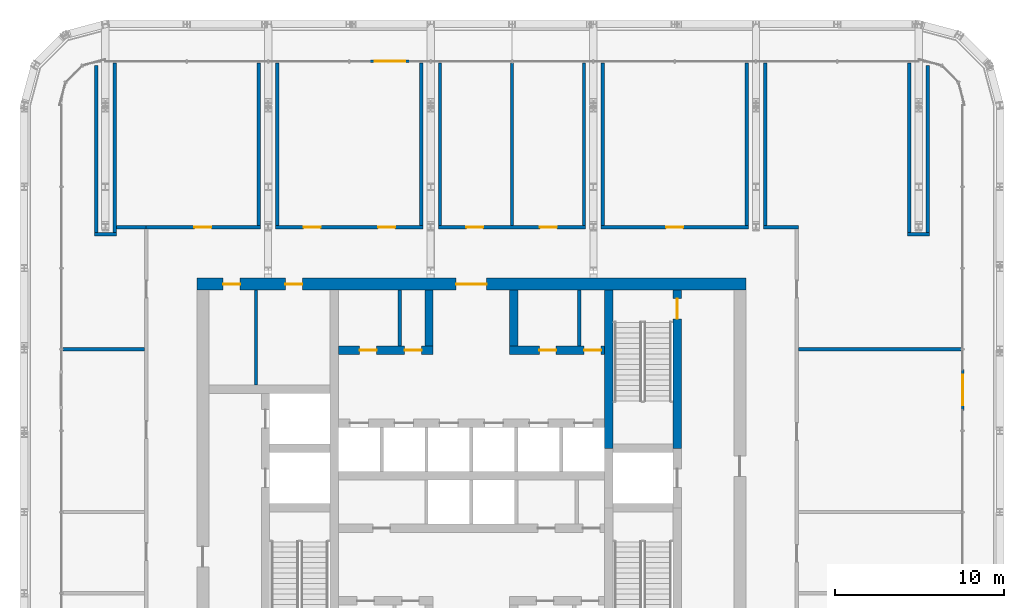
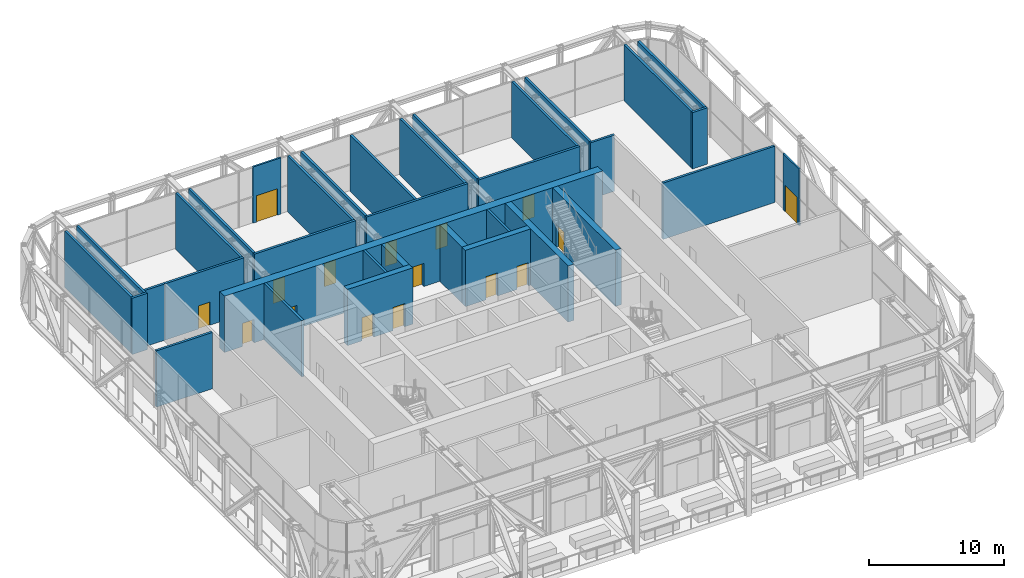
# One storey, part 16 of 22: 35 walls, 16 doors, 16 openings.
"""IFC4 building model written with IfcOpenShell, lengths in metres."""

import ifcopenshell
import ifcopenshell.guid

model = None  # the IFC model being written
_history = None  # IfcOwnerHistory: only IFC2X3 demands one
_inside = {}  # id of a spatial element -> (the spatial element, [elements in it])
_under = {}  # id of a project, library or spatial element -> (it, [spatial elements below it])
_declared = {}  # id of a project -> (the project, [libraries it declares])
_typed = {}  # id of a type object -> (the type object, [elements of that type])
_made_of = {}  # id of a material, layer set ... -> (it, [elements and type objects made of it])


def new_model(schema):
    """Start an empty IFC model of exactly this schema.

    Asked for "IFC4X3", IfcOpenShell would pick the latest addendum, in which some entities
    have other attributes; the version numbers below select the first issue.
    IFC2X3 requires an IfcOwnerHistory on every rooted entity: one is made here for all.
    """
    global model, _history
    if schema == "IFC4X3":
        model = ifcopenshell.file(schema_version=(4, 3, 0, 0))
    else:
        model = ifcopenshell.file(schema=schema)
    _inside.clear()
    _under.clear()
    _declared.clear()
    _typed.clear()
    _made_of.clear()
    _history = None
    if model.schema == "IFC2X3":
        org = make("IfcOrganization", Name="unknown")
        user = make(
            "IfcPersonAndOrganization",
            ThePerson=make("IfcPerson", FamilyName="unknown"),
            TheOrganization=org,
        )
        app = make(
            "IfcApplication",
            ApplicationDeveloper=org,
            Version="unknown",
            ApplicationFullName="unknown",
            ApplicationIdentifier="unknown",
        )
        _history = make(
            "IfcOwnerHistory",
            OwningUser=user,
            OwningApplication=app,
            ChangeAction="ADDED",
            CreationDate=0,
        )
    return model


def make(cls, **values):
    """One entity of the class cls with the attributes given. An attribute that is None is left unset."""
    return model.create_entity(
        cls, **{name: value for name, value in values.items() if value is not None}
    )


def rooted(cls, **values):
    """An entity with a GlobalId (a new one), such as an element, a storey or a relation."""
    return make(cls, GlobalId=ifcopenshell.guid.new(), OwnerHistory=_history, **values)


def si_unit(unit_type, name, prefix=None):
    """IfcSIUnit, for example si_unit("LENGTHUNIT", "METRE", prefix="MILLI")."""
    return make("IfcSIUnit", UnitType=unit_type, Prefix=prefix, Name=name)


def assignment(units):
    """IfcUnitAssignment: the units of a project."""
    return None if units is None else make("IfcUnitAssignment", Units=units)


def point(xyz):
    """IfcCartesianPoint."""
    return None if xyz is None else make("IfcCartesianPoint", Coordinates=xyz)


def direction(xyz):
    """IfcDirection."""
    return None if xyz is None else make("IfcDirection", DirectionRatios=xyz)


def frame(location, z_axis=None, x_axis=None):
    """IfcAxis2Placement3D, a coordinate frame: its origin and axes. An axis left out is left unset."""
    return make(
        "IfcAxis2Placement3D",
        Location=point(location),
        Axis=direction(z_axis),
        RefDirection=direction(x_axis),
    )


def frame_2d(location, x_axis=None):
    """IfcAxis2Placement2D, a coordinate frame in the plane: its origin and x axis."""
    return make(
        "IfcAxis2Placement2D", Location=point(location), RefDirection=direction(x_axis)
    )


def origin():
    """The frame at (0, 0, 0) with its axes left unset."""
    return frame((0.0, 0.0, 0.0))


def place(relative_to, where):
    """IfcLocalPlacement: puts the frame where relative to a parent placement (None: the world)."""
    return make(
        "IfcLocalPlacement", PlacementRelTo=relative_to, RelativePlacement=where
    )


def context(
    kind, dimensions, precision=None, world=None, true_north=None, identifier=None
):
    """IfcGeometricRepresentationContext, for example the 3D "Model" context."""
    return make(
        "IfcGeometricRepresentationContext",
        ContextIdentifier=identifier,
        ContextType=kind,
        CoordinateSpaceDimension=dimensions,
        Precision=precision,
        WorldCoordinateSystem=world,
        TrueNorth=true_north,
    )


def subcontext(parent, identifier, kind, view, scale=None):
    """IfcGeometricRepresentationSubContext, for example "Body" below "Model"."""
    return make(
        "IfcGeometricRepresentationSubContext",
        ContextIdentifier=identifier,
        ContextType=kind,
        ParentContext=parent,
        TargetScale=scale,
        TargetView=view,
    )


def project(units=None, contexts=None):
    """IfcProject with its units and contexts."""
    return rooted(
        "IfcProject",
        Name="project",
        RepresentationContexts=contexts,
        UnitsInContext=assignment(units),
    )


def spatial(cls, under=None, at=None, **own):
    """A site, building, storey or space (cls), placed at a placement, below another one or the project."""
    s = rooted(cls, ObjectPlacement=at, **own)
    if under is not None:
        _under.setdefault(under.id(), (under, []))[1].append(s)
    return s


def profile(cls, at=None, kind="AREA", **sizes):
    """A parametric profile (cls). Its sizes go by their IFC names, for example OverallWidth=200.0."""
    return make(cls, ProfileType=kind, Position=at, **sizes)


def rectangle(**sizes):
    """IfcRectangleProfileDef."""
    return profile("IfcRectangleProfileDef", **sizes)


def extrude(swept, where, along, depth):
    """IfcExtrudedAreaSolid: the profile swept, set in the frame where, extruded along a direction by depth."""
    return make(
        "IfcExtrudedAreaSolid",
        SweptArea=swept,
        Position=where,
        ExtrudedDirection=direction(along),
        Depth=depth,
    )


def shape(context_of_items, identifier, shape_type, items):
    """IfcShapeRepresentation: the items that make up one representation, for example the "Body"."""
    return make(
        "IfcShapeRepresentation",
        ContextOfItems=context_of_items,
        RepresentationIdentifier=identifier,
        RepresentationType=shape_type,
        Items=items,
    )


def material(Name=None, Category=None):
    """IfcMaterial."""
    return make("IfcMaterial", Name=Name, Category=Category)


def layer(
    of_material, thickness, ventilated=None, Name=None, Category=None, Priority=None
):
    """IfcMaterialLayer: one layer of a wall or slab, of a material (None: an air gap)."""
    return make(
        "IfcMaterialLayer",
        Material=of_material,
        LayerThickness=thickness,
        IsVentilated=ventilated,
        Name=Name,
        Category=Category,
        Priority=Priority,
    )


def layer_set(layers, Name=None):
    """IfcMaterialLayerSet."""
    return make("IfcMaterialLayerSet", MaterialLayers=layers, LayerSetName=Name)


def made_of(thing, what):
    """Note that an element or type object is made of a material, layer set ...; save() writes the relation."""
    if what is not None:
        _made_of.setdefault(what.id(), (what, []))[1].append(thing)
    return thing


def type_object(cls, material=None, **own):
    """A type object (cls), such as IfcWallType, which elements share."""
    return made_of(rooted(cls, **own), material)


def element(
    cls,
    number,
    at=None,
    inside=None,
    cuts=None,
    type_object=None,
    material=None,
    context=None,
    identifier="Body",
    shape_type=None,
    held_by="IfcProductDefinitionShape",
    body=None,
    shapes=None,
    **own,
):
    """One element of the class cls, such as IfcWall. Its Tag is "e" and its number.

    at: its placement. inside: the storey or other place that contains it. cuts: it is an
    opening in that element (IfcRelVoidsElement). A single representation is given by context,
    identifier, shape_type and body (its items); several are given by shapes. held_by: the class
    of the entity that holds the representations. save() writes the other relations.
    """
    e = rooted(cls, Tag="e%d" % number, ObjectPlacement=at, **own)
    if body is not None:
        shapes = [shape(context, identifier, shape_type, body)]
    if shapes is not None:
        e.Representation = make(held_by, Representations=shapes)
    if inside is not None:
        _inside.setdefault(inside.id(), (inside, []))[1].append(e)
    if cuts is not None:
        rooted(
            "IfcRelVoidsElement", RelatingBuildingElement=cuts, RelatedOpeningElement=e
        )
    if type_object is not None:
        _typed.setdefault(type_object.id(), (type_object, []))[1].append(e)
    return made_of(e, material)


def fill(opening, filler):
    """IfcRelFillsElement: the door or window that sits in an opening."""
    return rooted(
        "IfcRelFillsElement",
        RelatingOpeningElement=opening,
        RelatedBuildingElement=filler,
    )


def aggregate(whole, parts):
    """IfcRelAggregates: a whole, such as a stair, and the parts it consists of."""
    return rooted("IfcRelAggregates", RelatingObject=whole, RelatedObjects=parts)


def save(model, path):
    """Write the relations noted so far, then the file.

    IfcRelAggregates (storeys below a building ...), IfcRelContainedInSpatialStructure (elements
    in a storey), IfcRelDefinesByType, IfcRelAssociatesMaterial and IfcRelDeclares: one each for
    every whole, place, type object, material and project.
    """
    for whole, parts in _under.values():
        aggregate(whole, parts)
    for where, things in _inside.values():
        rooted(
            "IfcRelContainedInSpatialStructure",
            RelatedElements=things,
            RelatingStructure=where,
        )
    for kind, things in _typed.values():
        rooted("IfcRelDefinesByType", RelatedObjects=things, RelatingType=kind)
    for what, things in _made_of.values():
        rooted("IfcRelAssociatesMaterial", RelatedObjects=things, RelatingMaterial=what)
    for by, libraries in _declared.values():
        rooted("IfcRelDeclares", RelatingContext=by, RelatedDefinitions=libraries)
    model.write(path)


model = new_model("IFC4")

# Units and contexts
model_context = context("Model", 3, precision=1e-05, world=origin(), true_north=direction((0.0, 1.0)))
body_context = subcontext(model_context, "Body", "Model", "MODEL_VIEW")
ifc_project = project(units=[si_unit("LENGTHUNIT", "METRE"), si_unit("AREAUNIT", "SQUARE_METRE"), si_unit("VOLUMEUNIT", "CUBIC_METRE"), si_unit("PLANEANGLEUNIT", "RADIAN"), si_unit("MASSUNIT", "GRAM", prefix="KILO")], contexts=[model_context])

# Site, building, storey
site_placement = place(None, origin())
site = spatial("IfcSite", under=ifc_project, at=site_placement, CompositionType="ELEMENT")
building_placement = place(site_placement, origin())
building = spatial("IfcBuilding", under=site, at=building_placement, Name="Madar Terraces", CompositionType="ELEMENT")
storey_placement = place(building_placement, frame((0.0, 0.0, 203.39990234375)))
storey = spatial("IfcBuildingStorey", under=building, at=storey_placement, Name="L53", CompositionType="ELEMENT", Elevation=203.39990234375)

# Wall
ifc_material_1 = material(Name="Concrete C60/75", Category="concrete")
ifc_layer_1 = layer(ifc_material_1, 0.5)
ifc_layer_set_1 = layer_set([ifc_layer_1], Name="Concrete C60/75 (CIW4 RC wall 500)")
wall_type_1 = type_object("IfcWallType", Name="CIW4 RC wall 500", PredefinedType="SHEAR", material=ifc_layer_set_1)
wall_1_placement = place(storey_placement, frame((39.300048828125, 27.75, 0.0), z_axis=(0.0, 0.0, 1.0), x_axis=(0.0, 1.0, 0.0)))
element("IfcWall", 1, at=wall_1_placement, inside=storey, type_object=wall_type_1, Name="CORE SHAFT WALL", PredefinedType="SHEAR", context=body_context, shape_type="SweptSolid", body=[
    extrude(rectangle(XDim=9.35009765625, YDim=0.5, at=frame_2d((4.675048828125, 0.0))), origin(), (0.0, 0.0, 1.0), 5.10009765625),
])

# Wall, opening, door
wall_2_placement = place(storey_placement, frame((43.35009765625, 27.75, 0.0), z_axis=(0.0, 0.0, 1.0), x_axis=(0.0, 1.0, 0.0)))
wall_2 = element("IfcWall", 2, at=wall_2_placement, inside=storey, type_object=wall_type_1, Name="CORE SHAFT WALL", PredefinedType="SHEAR", context=body_context, shape_type="SweptSolid", body=[
    extrude(rectangle(XDim=9.35009765625, YDim=0.5, at=frame_2d((4.675048828125, 0.0))), origin(), (0.0, 0.0, 1.0), 5.10009765625),
])
opening_1_placement = place(wall_2_placement, frame((7.64990234375, 0.0, 0.0)))
opening_1 = element("IfcOpeningElement", 3, at=opening_1_placement, cuts=wall_2, Name="Opening SD1", PredefinedType="OPENING", context=body_context, shape_type="SweptSolid", body=[
    extrude(rectangle(XDim=1.199951171875, YDim=2.10009765625, at=frame_2d((0.60009765625, 1.050048828125))), frame((0.0, 0.260009765625, 0.0), z_axis=(0.0, -1.0, 0.0), x_axis=(1.0, 0.0, 0.0)), (0.0, 0.0, 1.0), 0.52001953125),
])
ifc_material_2 = material(Name="Steel door leaf", Category="steel")
door_type_1 = type_object("IfcDoorType", Name="Stair door 1200 x 2100", OperationType="NOTDEFINED", PredefinedType="DOOR", material=ifc_material_2)
door_1_placement = place(opening_1_placement, origin())
door_1 = element("IfcDoor", 4, at=door_1_placement, inside=storey, type_object=door_type_1, Name="STAIR DOOR", OperationType="SINGLE_SWING_LEFT", OverallHeight=2.10009765625, OverallWidth=1.199951171875, PredefinedType="DOOR", context=body_context, shape_type="SweptSolid", body=[
    extrude(rectangle(XDim=1.199951171875, YDim=2.10009765625, at=frame_2d((0.60009765625, 1.050048828125))), frame((0.0, 0.02490234375, 0.0), z_axis=(0.0, -1.0, 0.0), x_axis=(1.0, 0.0, 0.0)), (0.0, 0.0, 1.0), 0.050048828125),
])
fill(opening_1, door_1)

# Wall, openings, doors
wall_3_placement = place(storey_placement, frame((23.35009765625, 33.550048828125, 0.0), z_axis=(0.0, 0.0, 1.0), x_axis=(1.0, 0.0, 0.0)))
wall_3 = element("IfcWall", 5, at=wall_3_placement, inside=storey, type_object=wall_type_1, Name="CORE SHAFT WALL", PredefinedType="SHEAR", context=body_context, shape_type="SweptSolid", body=[
    extrude(rectangle(XDim=5.599853515625, YDim=0.5, at=frame_2d((2.7998046875, 0.0))), origin(), (0.0, 0.0, 1.0), 5.10009765625),
])
opening_2_placement = place(wall_3_placement, frame((1.260498046875, 0.0, 0.0)))
opening_2 = element("IfcOpeningElement", 6, at=opening_2_placement, cuts=wall_3, Name="Opening KD2", PredefinedType="OPENING", context=body_context, shape_type="SweptSolid", body=[
    extrude(rectangle(XDim=1.0, YDim=2.10009765625, at=frame_2d((0.5, 1.050048828125))), frame((0.0, 0.260009765625, 0.0), z_axis=(0.0, -1.0, 0.0), x_axis=(1.0, 0.0, 0.0)), (0.0, 0.0, 1.0), 0.52001953125),
])
opening_3_placement = place(wall_3_placement, frame((3.910400390625, 0.0, 0.0)))
opening_3 = element("IfcOpeningElement", 7, at=opening_3_placement, cuts=wall_3, Name="Opening KD2", PredefinedType="OPENING", context=body_context, shape_type="SweptSolid", body=[
    extrude(rectangle(XDim=1.0, YDim=2.10009765625, at=frame_2d((0.5, 1.050048828125))), frame((0.0, 0.260009765625, 0.0), z_axis=(0.0, -1.0, 0.0), x_axis=(1.0, 0.0, 0.0)), (0.0, 0.0, 1.0), 0.52001953125),
])
ifc_material_3 = material(Name="Steel door leaf", Category="steel")
door_type_2 = type_object("IfcDoorType", Name="Service room door 1000 x 2100", OperationType="NOTDEFINED", PredefinedType="DOOR", material=ifc_material_3)
door_2_placement = place(opening_2_placement, frame((1.0, 0.0, 0.0), z_axis=(0.0, 0.0, 1.0), x_axis=(-1.0, 0.0, 0.0)))
door_2 = element("IfcDoor", 8, at=door_2_placement, inside=storey, type_object=door_type_2, Name="SERVICE ROOM DOOR", OperationType="SINGLE_SWING_LEFT", OverallHeight=2.10009765625, OverallWidth=1.0, PredefinedType="DOOR", context=body_context, shape_type="SweptSolid", body=[
    extrude(rectangle(XDim=1.0, YDim=2.10009765625, at=frame_2d((0.5, 1.050048828125))), frame((0.0, 0.02490234375, 0.0), z_axis=(0.0, -1.0, 0.0), x_axis=(1.0, 0.0, 0.0)), (0.0, 0.0, 1.0), 0.050048828125),
])
fill(opening_2, door_2)
door_3_placement = place(opening_3_placement, frame((1.0, 0.0, 0.0), z_axis=(0.0, 0.0, 1.0), x_axis=(-1.0, 0.0, 0.0)))
door_3 = element("IfcDoor", 9, at=door_3_placement, inside=storey, type_object=door_type_2, Name="SERVICE ROOM DOOR", OperationType="SINGLE_SWING_RIGHT", OverallHeight=2.10009765625, OverallWidth=1.0, PredefinedType="DOOR", context=body_context, shape_type="SweptSolid", body=[
    extrude(rectangle(XDim=1.0, YDim=2.10009765625, at=frame_2d((0.5, 1.050048828125))), frame((0.0, 0.02490234375, 0.0), z_axis=(0.0, -1.0, 0.0), x_axis=(1.0, 0.0, 0.0)), (0.0, 0.0, 1.0), 0.050048828125),
])
fill(opening_3, door_3)

wall_4_placement = place(storey_placement, frame((33.449951171875, 33.550048828125, 0.0), z_axis=(0.0, 0.0, 1.0), x_axis=(1.0, 0.0, 0.0)))
wall_4 = element("IfcWall", 10, at=wall_4_placement, inside=storey, type_object=wall_type_1, Name="CORE SHAFT WALL", PredefinedType="SHEAR", context=body_context, shape_type="SweptSolid", body=[
    extrude(rectangle(XDim=5.60009765625, YDim=0.5, at=frame_2d((2.800048828125, 0.0))), origin(), (0.0, 0.0, 1.0), 5.10009765625),
])
opening_4_placement = place(wall_4_placement, frame((1.760498046875, 0.0, 0.0)))
opening_4 = element("IfcOpeningElement", 11, at=opening_4_placement, cuts=wall_4, Name="Opening KD2", PredefinedType="OPENING", context=body_context, shape_type="SweptSolid", body=[
    extrude(rectangle(XDim=1.0, YDim=2.10009765625, at=frame_2d((0.5, 1.050048828125))), frame((0.0, 0.260009765625, 0.0), z_axis=(0.0, -1.0, 0.0), x_axis=(1.0, 0.0, 0.0)), (0.0, 0.0, 1.0), 0.52001953125),
])
opening_5_placement = place(wall_4_placement, frame((4.410400390625, 0.0, 0.0)))
opening_5 = element("IfcOpeningElement", 12, at=opening_5_placement, cuts=wall_4, Name="Opening KD2", PredefinedType="OPENING", context=body_context, shape_type="SweptSolid", body=[
    extrude(rectangle(XDim=1.0, YDim=2.10009765625, at=frame_2d((0.5, 1.050048828125))), frame((0.0, 0.260009765625, 0.0), z_axis=(0.0, -1.0, 0.0), x_axis=(1.0, 0.0, 0.0)), (0.0, 0.0, 1.0), 0.52001953125),
])
door_4_placement = place(opening_4_placement, frame((1.0, 0.0, 0.0), z_axis=(0.0, 0.0, 1.0), x_axis=(-1.0, 0.0, 0.0)))
door_4 = element("IfcDoor", 13, at=door_4_placement, inside=storey, type_object=door_type_2, Name="SERVICE ROOM DOOR", OperationType="SINGLE_SWING_LEFT", OverallHeight=2.10009765625, OverallWidth=1.0, PredefinedType="DOOR", context=body_context, shape_type="SweptSolid", body=[
    extrude(rectangle(XDim=1.0, YDim=2.10009765625, at=frame_2d((0.5, 1.050048828125))), frame((0.0, 0.02490234375, 0.0), z_axis=(0.0, -1.0, 0.0), x_axis=(1.0, 0.0, 0.0)), (0.0, 0.0, 1.0), 0.050048828125),
])
fill(opening_4, door_4)
door_5_placement = place(opening_5_placement, frame((1.0, 0.0, 0.0), z_axis=(0.0, 0.0, 1.0), x_axis=(-1.0, 0.0, 0.0)))
door_5 = element("IfcDoor", 14, at=door_5_placement, inside=storey, type_object=door_type_2, Name="SERVICE ROOM DOOR", OperationType="SINGLE_SWING_RIGHT", OverallHeight=2.10009765625, OverallWidth=1.0, PredefinedType="DOOR", context=body_context, shape_type="SweptSolid", body=[
    extrude(rectangle(XDim=1.0, YDim=2.10009765625, at=frame_2d((0.5, 1.050048828125))), frame((0.0, 0.02490234375, 0.0), z_axis=(0.0, -1.0, 0.0), x_axis=(1.0, 0.0, 0.0)), (0.0, 0.0, 1.0), 0.050048828125),
])
fill(opening_5, door_5)

# Walls
for number, where, z_axis, x_axis, name in (
    (15, (28.699951171875, 33.800048828125, 0.0), (0.0, 0.0, 1.0), (0.0, 1.0, 0.0), "CORE SHAFT WALL"),
    (16, (33.699951171875, 33.800048828125, 0.0), (0.0, 0.0, 1.0), (0.0, 1.0, 0.0), "CORE SHAFT WALL"),
):
    element("IfcWall", number, at=place(storey_placement, frame(where, z_axis=z_axis, x_axis=x_axis)), inside=storey, type_object=wall_type_1, Name=name, PredefinedType="SHEAR", context=body_context, shape_type="SweptSolid", body=[
        extrude(rectangle(XDim=3.300048828125, YDim=0.5, at=frame_2d((1.64990234375, 0.0))), origin(), (0.0, 0.0, 1.0), 5.10009765625),
    ])

# Wall, openings, doors
ifc_material_4 = material(Name="Concrete C60/75", Category="concrete")
ifc_layer_2 = layer(ifc_material_4, 0.699951171875)
ifc_layer_set_2 = layer_set([ifc_layer_2], Name="Concrete C60/75 (CRW4 RC wall 700)")
wall_type_2 = type_object("IfcWallType", Name="CRW4 RC wall 700", PredefinedType="SHEAR", material=ifc_layer_set_2)
wall_5_placement = place(storey_placement, frame((15.0, 37.449951171875, 0.0), z_axis=(0.0, 0.0, 1.0), x_axis=(1.0, 0.0, 0.0)))
wall_5 = element("IfcWall", 17, at=wall_5_placement, inside=storey, type_object=wall_type_2, Name="CORE OUTER WALL", PredefinedType="SHEAR", context=body_context, shape_type="SweptSolid", body=[
    extrude(rectangle(XDim=32.39990234375, YDim=0.699951171875, at=frame_2d((16.199951171875, 0.0))), origin(), (0.0, 0.0, 1.0), 5.10009765625),
])
opening_6_placement = place(wall_5_placement, frame((15.300048828125, 0.0, 0.0)))
opening_6 = element("IfcOpeningElement", 18, at=opening_6_placement, cuts=wall_5, Name="Opening KD1", PredefinedType="OPENING", context=body_context, shape_type="SweptSolid", body=[
    extrude(rectangle(XDim=1.800048828125, YDim=2.10009765625, at=frame_2d((0.89990234375, 1.050048828125))), frame((0.0, 0.35986328125, 0.0), z_axis=(0.0, -1.0, 0.0), x_axis=(1.0, 0.0, 0.0)), (0.0, 0.0, 1.0), 0.719970703125),
])
opening_7_placement = place(wall_5_placement, frame((1.544189453125, 0.0, 0.0)))
opening_7 = element("IfcOpeningElement", 19, at=opening_7_placement, cuts=wall_5, Name="Opening KD2", PredefinedType="OPENING", context=body_context, shape_type="SweptSolid", body=[
    extrude(rectangle(XDim=1.0, YDim=2.10009765625, at=frame_2d((0.5, 1.050048828125))), frame((0.0, 0.35986328125, 0.0), z_axis=(0.0, -1.0, 0.0), x_axis=(1.0, 0.0, 0.0)), (0.0, 0.0, 1.0), 0.719970703125),
])
opening_8_placement = place(wall_5_placement, frame((5.21923828125, 0.0, 0.0)))
opening_8 = element("IfcOpeningElement", 20, at=opening_8_placement, cuts=wall_5, Name="Opening KD2", PredefinedType="OPENING", context=body_context, shape_type="SweptSolid", body=[
    extrude(rectangle(XDim=1.0, YDim=2.10009765625, at=frame_2d((0.5, 1.050048828125))), frame((0.0, 0.35986328125, 0.0), z_axis=(0.0, -1.0, 0.0), x_axis=(1.0, 0.0, 0.0)), (0.0, 0.0, 1.0), 0.719970703125),
])
ifc_material_5 = material(Name="Steel door leaf", Category="steel")
door_type_3 = type_object("IfcDoorType", Name="Lobby door pair 1800 x 2100", OperationType="DOUBLE_DOOR_SINGLE_SWING", PredefinedType="DOOR", material=ifc_material_5)
door_6_placement = place(opening_6_placement, origin())
door_6 = element("IfcDoor", 21, at=door_6_placement, inside=storey, type_object=door_type_3, Name="LIFT LOBBY DOOR", OperationType="DOUBLE_DOOR_SINGLE_SWING", OverallHeight=2.10009765625, OverallWidth=1.800048828125, PredefinedType="DOOR", context=body_context, shape_type="SweptSolid", body=[
    extrude(rectangle(XDim=1.800048828125, YDim=2.10009765625, at=frame_2d((0.89990234375, 1.050048828125))), frame((0.0, 0.02490234375, 0.0), z_axis=(0.0, -1.0, 0.0), x_axis=(1.0, 0.0, 0.0)), (0.0, 0.0, 1.0), 0.050048828125),
])
fill(opening_6, door_6)
door_7_placement = place(opening_7_placement, origin())
door_7 = element("IfcDoor", 22, at=door_7_placement, inside=storey, type_object=door_type_2, Name="SERVICE ROOM DOOR", OperationType="SINGLE_SWING_RIGHT", OverallHeight=2.10009765625, OverallWidth=1.0, PredefinedType="DOOR", context=body_context, shape_type="SweptSolid", body=[
    extrude(rectangle(XDim=1.0, YDim=2.10009765625, at=frame_2d((0.5, 1.050048828125))), frame((0.0, 0.02490234375, 0.0), z_axis=(0.0, -1.0, 0.0), x_axis=(1.0, 0.0, 0.0)), (0.0, 0.0, 1.0), 0.050048828125),
])
fill(opening_7, door_7)
door_8_placement = place(opening_8_placement, origin())
door_8 = element("IfcDoor", 23, at=door_8_placement, inside=storey, type_object=door_type_2, Name="SERVICE ROOM DOOR", OperationType="SINGLE_SWING_LEFT", OverallHeight=2.10009765625, OverallWidth=1.0, PredefinedType="DOOR", context=body_context, shape_type="SweptSolid", body=[
    extrude(rectangle(XDim=1.0, YDim=2.10009765625, at=frame_2d((0.5, 1.050048828125))), frame((0.0, 0.02490234375, 0.0), z_axis=(0.0, -1.0, 0.0), x_axis=(1.0, 0.0, 0.0)), (0.0, 0.0, 1.0), 0.050048828125),
])
fill(opening_8, door_8)

# Walls
ifc_material_6 = material(Name="Masonry blockwork", Category="masonry")
ifc_layer_3 = layer(ifc_material_6, 0.199951171875)
ifc_layer_set_3 = layer_set([ifc_layer_3], Name="Core partition 200 blockwork")
wall_type_3 = type_object("IfcWallType", Name="Core partition 200 blockwork", PredefinedType="PARTITIONING", material=ifc_layer_set_3)
wall_6_placement = place(storey_placement, frame((18.488525390625, 31.5, 0.0), z_axis=(0.0, 0.0, 1.0), x_axis=(0.0, 1.0, 0.0)))
element("IfcWall", 24, at=wall_6_placement, inside=storey, type_object=wall_type_3, Name="SERVICE ROOM PARTITION", PredefinedType="PARTITIONING", context=body_context, shape_type="SweptSolid", body=[
    extrude(rectangle(XDim=5.60009765625, YDim=0.199951171875, at=frame_2d((2.800048828125, 0.0))), origin(), (0.0, 0.0, 1.0), 5.10009765625),
])
for number, where, z_axis, x_axis, name in (
    (25, (26.970947265625, 33.800048828125, 0.0), (0.0, 0.0, 1.0), (0.0, 1.0, 0.0), "SERVICE ROOM PARTITION"),
    (26, (37.571044921875, 33.800048828125, 0.0), (0.0, 0.0, 1.0), (0.0, 1.0, 0.0), "SERVICE ROOM PARTITION"),
):
    element("IfcWall", number, at=place(storey_placement, frame(where, z_axis=z_axis, x_axis=x_axis)), inside=storey, type_object=wall_type_3, Name=name, PredefinedType="PARTITIONING", context=body_context, shape_type="SweptSolid", body=[
        extrude(rectangle(XDim=3.300048828125, YDim=0.199951171875, at=frame_2d((1.64990234375, 0.0))), origin(), (0.0, 0.0, 1.0), 5.10009765625),
    ])

# Wall, opening, door
ifc_material_7 = material(Name="Aluminium composite panel, black, over insulated backing", Category="aluminium")
ifc_layer_4 = layer(ifc_material_7, 0.14990234375)
ifc_layer_set_4 = layer_set([ifc_layer_4], Name="Facade bay panel 150")
wall_type_4 = type_object("IfcWallType", Name="Facade bay panel 150", PredefinedType="SOLIDWALL", material=ifc_layer_set_4)
wall_7_placement = place(storey_placement, frame((60.199951171875, 30.0, 0.0), z_axis=(0.0, 0.0, 1.0), x_axis=(0.0, 1.0, 0.0)))
wall_7 = element("IfcWall", 27, at=wall_7_placement, inside=storey, type_object=wall_type_4, Name="Facade bay panel", PredefinedType="SOLIDWALL", context=body_context, shape_type="SweptSolid", body=[
    extrude(rectangle(XDim=2.39990234375, YDim=0.14990234375, at=frame_2d((1.199951171875, 0.0))), origin(), (0.0, 0.0, 1.0), 5.10009765625),
])
opening_9_placement = place(wall_7_placement, frame((0.300048828125, 0.0, 0.0)))
opening_9 = element("IfcOpeningElement", 28, at=opening_9_placement, cuts=wall_7, Name="Opening ED1", PredefinedType="OPENING", context=body_context, shape_type="SweptSolid", body=[
    extrude(rectangle(XDim=1.800048828125, YDim=2.39990234375, at=frame_2d((0.89990234375, 1.199951171875))), frame((0.0, 0.0849609375, 0.0), z_axis=(0.0, -1.0, 0.0), x_axis=(1.0, 0.0, 0.0)), (0.0, 0.0, 1.0), 0.169921875),
])
ifc_material_8 = material(Name="Glass, clear, with black aluminium frame", Category="aluminium")
door_type_4 = type_object("IfcDoorType", Name="Balcony and terrace sliding door 1800 x 2400", OperationType="SLIDING_TO_LEFT", PredefinedType="DOOR", material=ifc_material_8)
door_9_placement = place(opening_9_placement, origin())
door_9 = element("IfcDoor", 29, at=door_9_placement, inside=storey, type_object=door_type_4, Name="Balcony door", OperationType="SLIDING_TO_LEFT", OverallHeight=2.39990234375, OverallWidth=1.800048828125, PredefinedType="DOOR", context=body_context, shape_type="SweptSolid", body=[
    extrude(rectangle(XDim=1.800048828125, YDim=2.39990234375, at=frame_2d((0.89990234375, 1.199951171875))), frame((0.0, 0.02490234375, 0.0), z_axis=(0.0, -1.0, 0.0), x_axis=(1.0, 0.0, 0.0)), (0.0, 0.0, 1.0), 0.050048828125),
])
fill(opening_9, door_9)

wall_8_placement = place(storey_placement, frame((27.60009765625, 50.60009765625, 0.0), z_axis=(0.0, 0.0, 1.0), x_axis=(-1.0, 0.0, 0.0)))
wall_8 = element("IfcWall", 30, at=wall_8_placement, inside=storey, type_object=wall_type_4, Name="Facade bay panel", PredefinedType="SOLIDWALL", context=body_context, shape_type="SweptSolid", body=[
    extrude(rectangle(XDim=2.400146484375, YDim=0.14990234375, at=frame_2d((1.2001953125, 0.0))), origin(), (0.0, 0.0, 1.0), 5.10009765625),
])
opening_10_placement = place(wall_8_placement, frame((0.300048828125, 0.0, 0.0)))
opening_10 = element("IfcOpeningElement", 31, at=opening_10_placement, cuts=wall_8, Name="Opening ED1", PredefinedType="OPENING", context=body_context, shape_type="SweptSolid", body=[
    extrude(rectangle(XDim=1.800048828125, YDim=2.39990234375, at=frame_2d((0.89990234375, 1.199951171875))), frame((0.0, 0.0849609375, 0.0), z_axis=(0.0, -1.0, 0.0), x_axis=(1.0, 0.0, 0.0)), (0.0, 0.0, 1.0), 0.169921875),
])
door_10_placement = place(opening_10_placement, origin())
door_10 = element("IfcDoor", 32, at=door_10_placement, inside=storey, type_object=door_type_4, Name="Balcony door", OperationType="SLIDING_TO_RIGHT", OverallHeight=2.39990234375, OverallWidth=1.800048828125, PredefinedType="DOOR", context=body_context, shape_type="SweptSolid", body=[
    extrude(rectangle(XDim=1.800048828125, YDim=2.39990234375, at=frame_2d((0.89990234375, 1.199951171875))), frame((0.0, 0.02490234375, 0.0), z_axis=(0.0, -1.0, 0.0), x_axis=(1.0, 0.0, 0.0)), (0.0, 0.0, 1.0), 0.050048828125),
])
fill(opening_10, door_10)

# Walls
ifc_material_9 = material(Name="Gypsum board partition, fire-rated")
ifc_layer_5 = layer(ifc_material_9, 0.199951171875)
ifc_layer_set_5 = layer_set([ifc_layer_5], Name="Partition 200 EI 60")
wall_type_5 = type_object("IfcWallType", Name="Partition 200 EI 60", PredefinedType="PARTITIONING", material=ifc_layer_set_5)
wall_9_placement = place(storey_placement, frame((7.10009765625, 33.60009765625, 0.0), z_axis=(0.0, 0.0, 1.0), x_axis=(1.0, 0.0, 0.0)))
element("IfcWall", 33, at=wall_9_placement, inside=storey, type_object=wall_type_5, Name="Wall LIBRARY / ACTIVITY ROOM", PredefinedType="PARTITIONING", context=body_context, shape_type="SweptSolid", body=[
    extrude(rectangle(XDim=4.7998046875, YDim=0.199951171875, at=frame_2d((2.39990234375, 0.0))), origin(), (0.0, 0.0, 1.0), 5.10009765625),
])
wall_10_placement = place(storey_placement, frame((50.5, 33.60009765625, 0.0), z_axis=(0.0, 0.0, 1.0), x_axis=(1.0, 0.0, 0.0)))
element("IfcWall", 34, at=wall_10_placement, inside=storey, type_object=wall_type_5, Name="Wall LAUNDRETTE / ACTIVITY ROOM", PredefinedType="PARTITIONING", context=body_context, shape_type="SweptSolid", body=[
    extrude(rectangle(XDim=9.60009765625, YDim=0.199951171875, at=frame_2d((4.800048828125, 0.0))), origin(), (0.0, 0.0, 1.0), 5.10009765625),
])
wall_11_placement = place(storey_placement, frame((10.25, 40.800048828125, 0.0), z_axis=(0.0, 0.0, 1.0), x_axis=(1.0, 0.0, 0.0)))
element("IfcWall", 35, at=wall_11_placement, inside=storey, type_object=wall_type_5, Name="Wall WORKSHOP / ACTIVITY ROOM", PredefinedType="PARTITIONING", context=body_context, shape_type="SweptSolid", body=[
    extrude(rectangle(XDim=1.75, YDim=0.199951171875, at=frame_2d((0.875, 0.0))), origin(), (0.0, 0.0, 1.0), 5.10009765625),
])

# Wall, opening, door
wall_12_placement = place(storey_placement, frame((12.0, 40.800048828125, 0.0), z_axis=(0.0, 0.0, 1.0), x_axis=(1.0, 0.0, 0.0)))
wall_12 = element("IfcWall", 36, at=wall_12_placement, inside=storey, type_object=wall_type_5, Name="Wall WORKSHOP / RING CORRIDOR", PredefinedType="PARTITIONING", context=body_context, shape_type="SweptSolid", body=[
    extrude(rectangle(XDim=6.75, YDim=0.199951171875, at=frame_2d((3.375, 0.0))), origin(), (0.0, 0.0, 1.0), 5.10009765625),
])
opening_11_placement = place(wall_12_placement, frame((2.85009765625, 0.0, 0.0)))
opening_11 = element("IfcOpeningElement", 37, at=opening_11_placement, cuts=wall_12, Name="Opening D31", PredefinedType="OPENING", context=body_context, shape_type="SweptSolid", body=[
    extrude(rectangle(XDim=1.0, YDim=2.10009765625, at=frame_2d((0.5, 1.050048828125))), frame((0.0, 0.10986328125, 0.0), z_axis=(0.0, -1.0, 0.0), x_axis=(1.0, 0.0, 0.0)), (0.0, 0.0, 1.0), 0.219970703125),
])
ifc_material_10 = material(Name="Timber door leaf, fire-rated", Category="wood")
door_type_5 = type_object("IfcDoorType", Name="Podium door 1000 x 2100 FD30S", OperationType="NOTDEFINED", PredefinedType="DOOR", material=ifc_material_10)
door_11_placement = place(opening_11_placement, origin())
door_11 = element("IfcDoor", 38, at=door_11_placement, inside=storey, type_object=door_type_5, Name="Door WORKSHOP / RING CORRIDOR", OperationType="SINGLE_SWING_LEFT", OverallHeight=2.10009765625, OverallWidth=1.0, PredefinedType="DOOR", context=body_context, shape_type="SweptSolid", body=[
    extrude(rectangle(XDim=1.0, YDim=2.10009765625, at=frame_2d((0.5, 1.050048828125))), frame((0.0, 0.02490234375, 0.0), z_axis=(0.0, -1.0, 0.0), x_axis=(1.0, 0.0, 0.0)), (0.0, 0.0, 1.0), 0.050048828125),
])
fill(opening_11, door_11)

# Wall, openings, doors
wall_13_placement = place(storey_placement, frame((28.35009765625, 40.800048828125, 0.0), z_axis=(0.0, 0.0, 1.0), x_axis=(-1.0, 0.0, 0.0)))
wall_13 = element("IfcWall", 39, at=wall_13_placement, inside=storey, type_object=wall_type_5, Name="Wall COMMUNITY HALL / RING CORRIDOR", PredefinedType="PARTITIONING", context=body_context, shape_type="SweptSolid", body=[
    extrude(rectangle(XDim=8.7001953125, YDim=0.199951171875, at=frame_2d((4.35009765625, 0.0))), origin(), (0.0, 0.0, 1.0), 5.10009765625),
])
opening_12_placement = place(wall_13_placement, frame((6.050048828125, 0.0, 0.0)))
opening_12 = element("IfcOpeningElement", 40, at=opening_12_placement, cuts=wall_13, Name="Opening D31", PredefinedType="OPENING", context=body_context, shape_type="SweptSolid", body=[
    extrude(rectangle(XDim=1.0, YDim=2.10009765625, at=frame_2d((0.5, 1.050048828125))), frame((0.0, 0.10986328125, 0.0), z_axis=(0.0, -1.0, 0.0), x_axis=(1.0, 0.0, 0.0)), (0.0, 0.0, 1.0), 0.219970703125),
])
opening_13_placement = place(wall_13_placement, frame((1.64990234375, 0.0, 0.0)))
opening_13 = element("IfcOpeningElement", 41, at=opening_13_placement, cuts=wall_13, Name="Opening D31", PredefinedType="OPENING", context=body_context, shape_type="SweptSolid", body=[
    extrude(rectangle(XDim=1.0, YDim=2.10009765625, at=frame_2d((0.5, 1.050048828125))), frame((0.0, 0.10986328125, 0.0), z_axis=(0.0, -1.0, 0.0), x_axis=(1.0, 0.0, 0.0)), (0.0, 0.0, 1.0), 0.219970703125),
])
door_12_placement = place(opening_12_placement, origin())
door_12 = element("IfcDoor", 42, at=door_12_placement, inside=storey, type_object=door_type_5, Name="Door COMMUNITY HALL / RING CORRIDOR", OperationType="SINGLE_SWING_RIGHT", OverallHeight=2.10009765625, OverallWidth=1.0, PredefinedType="DOOR", context=body_context, shape_type="SweptSolid", body=[
    extrude(rectangle(XDim=1.0, YDim=2.10009765625, at=frame_2d((0.5, 1.050048828125))), frame((0.0, 0.02490234375, 0.0), z_axis=(0.0, -1.0, 0.0), x_axis=(1.0, 0.0, 0.0)), (0.0, 0.0, 1.0), 0.050048828125),
])
fill(opening_12, door_12)
door_13_placement = place(opening_13_placement, origin())
door_13 = element("IfcDoor", 43, at=door_13_placement, inside=storey, type_object=door_type_5, Name="Door COMMUNITY HALL / RING CORRIDOR", OperationType="SINGLE_SWING_LEFT", OverallHeight=2.10009765625, OverallWidth=1.0, PredefinedType="DOOR", context=body_context, shape_type="SweptSolid", body=[
    extrude(rectangle(XDim=1.0, YDim=2.10009765625, at=frame_2d((0.5, 1.050048828125))), frame((0.0, 0.02490234375, 0.0), z_axis=(0.0, -1.0, 0.0), x_axis=(1.0, 0.0, 0.0)), (0.0, 0.0, 1.0), 0.050048828125),
])
fill(opening_13, door_13)

wall_14_placement = place(storey_placement, frame((29.25, 40.800048828125, 0.0), z_axis=(0.0, 0.0, 1.0), x_axis=(1.0, 0.0, 0.0)))
wall_14 = element("IfcWall", 44, at=wall_14_placement, inside=storey, type_object=wall_type_5, Name="Wall OFFICE + TEA KITCHEN", PredefinedType="PARTITIONING", context=body_context, shape_type="SweptSolid", body=[
    extrude(rectangle(XDim=8.699951171875, YDim=0.199951171875, at=frame_2d((4.35009765625, 0.0))), origin(), (0.0, 0.0, 1.0), 5.10009765625),
])
opening_14_placement = place(wall_14_placement, frame((1.64990234375, 0.0, 0.0)))
opening_14 = element("IfcOpeningElement", 45, at=opening_14_placement, cuts=wall_14, Name="Opening D31", PredefinedType="OPENING", context=body_context, shape_type="SweptSolid", body=[
    extrude(rectangle(XDim=1.0, YDim=2.10009765625, at=frame_2d((0.5, 1.050048828125))), frame((0.0, 0.10986328125, 0.0), z_axis=(0.0, -1.0, 0.0), x_axis=(1.0, 0.0, 0.0)), (0.0, 0.0, 1.0), 0.219970703125),
])
opening_15_placement = place(wall_14_placement, frame((6.0, 0.0, 0.0)))
opening_15 = element("IfcOpeningElement", 46, at=opening_15_placement, cuts=wall_14, Name="Opening D31", PredefinedType="OPENING", context=body_context, shape_type="SweptSolid", body=[
    extrude(rectangle(XDim=1.0, YDim=2.10009765625, at=frame_2d((0.5, 1.050048828125))), frame((0.0, 0.10986328125, 0.0), z_axis=(0.0, -1.0, 0.0), x_axis=(1.0, 0.0, 0.0)), (0.0, 0.0, 1.0), 0.219970703125),
])
door_14_placement = place(opening_14_placement, origin())
door_14 = element("IfcDoor", 47, at=door_14_placement, inside=storey, type_object=door_type_5, Name="Door TEA KITCHEN / RING CORRIDOR", OperationType="SINGLE_SWING_LEFT", OverallHeight=2.10009765625, OverallWidth=1.0, PredefinedType="DOOR", context=body_context, shape_type="SweptSolid", body=[
    extrude(rectangle(XDim=1.0, YDim=2.10009765625, at=frame_2d((0.5, 1.050048828125))), frame((0.0, 0.02490234375, 0.0), z_axis=(0.0, -1.0, 0.0), x_axis=(1.0, 0.0, 0.0)), (0.0, 0.0, 1.0), 0.050048828125),
])
fill(opening_14, door_14)
door_15_placement = place(opening_15_placement, origin())
door_15 = element("IfcDoor", 48, at=door_15_placement, inside=storey, type_object=door_type_5, Name="Door OFFICE / RING CORRIDOR", OperationType="SINGLE_SWING_LEFT", OverallHeight=2.10009765625, OverallWidth=1.0, PredefinedType="DOOR", context=body_context, shape_type="SweptSolid", body=[
    extrude(rectangle(XDim=1.0, YDim=2.10009765625, at=frame_2d((0.5, 1.050048828125))), frame((0.0, 0.02490234375, 0.0), z_axis=(0.0, -1.0, 0.0), x_axis=(1.0, 0.0, 0.0)), (0.0, 0.0, 1.0), 0.050048828125),
])
fill(opening_15, door_15)

# Wall, opening, door
wall_15_placement = place(storey_placement, frame((38.85009765625, 40.800048828125, 0.0), z_axis=(0.0, 0.0, 1.0), x_axis=(1.0, 0.0, 0.0)))
wall_15 = element("IfcWall", 49, at=wall_15_placement, inside=storey, type_object=wall_type_5, Name="Wall SEWING WORKSHOP / RING CORRIDOR", PredefinedType="PARTITIONING", context=body_context, shape_type="SweptSolid", body=[
    extrude(rectangle(XDim=8.699951171875, YDim=0.199951171875, at=frame_2d((4.35009765625, 0.0))), origin(), (0.0, 0.0, 1.0), 5.10009765625),
])
opening_16_placement = place(wall_15_placement, frame((3.85009765625, 0.0, 0.0)))
opening_16 = element("IfcOpeningElement", 50, at=opening_16_placement, cuts=wall_15, Name="Opening D31", PredefinedType="OPENING", context=body_context, shape_type="SweptSolid", body=[
    extrude(rectangle(XDim=1.0, YDim=2.10009765625, at=frame_2d((0.5, 1.050048828125))), frame((0.0, 0.10986328125, 0.0), z_axis=(0.0, -1.0, 0.0), x_axis=(1.0, 0.0, 0.0)), (0.0, 0.0, 1.0), 0.219970703125),
])
door_16_placement = place(opening_16_placement, origin())
door_16 = element("IfcDoor", 51, at=door_16_placement, inside=storey, type_object=door_type_5, Name="Door SEWING WORKSHOP / RING CORRIDOR", OperationType="SINGLE_SWING_LEFT", OverallHeight=2.10009765625, OverallWidth=1.0, PredefinedType="DOOR", context=body_context, shape_type="SweptSolid", body=[
    extrude(rectangle(XDim=1.0, YDim=2.10009765625, at=frame_2d((0.5, 1.050048828125))), frame((0.0, 0.02490234375, 0.0), z_axis=(0.0, -1.0, 0.0), x_axis=(1.0, 0.0, 0.0)), (0.0, 0.0, 1.0), 0.050048828125),
])
fill(opening_16, door_16)

# Walls
wall_16_placement = place(storey_placement, frame((48.449951171875, 40.800048828125, 0.0), z_axis=(0.0, 0.0, 1.0), x_axis=(1.0, 0.0, 0.0)))
element("IfcWall", 52, at=wall_16_placement, inside=storey, type_object=wall_type_5, Name="Wall ACTIVITY ROOM / RING CORRIDOR", PredefinedType="PARTITIONING", context=body_context, shape_type="SweptSolid", body=[
    extrude(rectangle(XDim=2.050048828125, YDim=0.199951171875, at=frame_2d((1.02490234375, 0.0))), origin(), (0.0, 0.0, 1.0), 5.10009765625),
])
wall_17_placement = place(storey_placement, frame((33.60009765625, 40.89990234375, 0.0), z_axis=(0.0, 0.0, 1.0), x_axis=(0.0, 1.0, 0.0)))
element("IfcWall", 53, at=wall_17_placement, inside=storey, type_object=wall_type_5, Name="Wall TEA KITCHEN / OFFICE", PredefinedType="PARTITIONING", context=body_context, shape_type="SweptSolid", body=[
    extrude(rectangle(XDim=9.60009765625, YDim=0.199951171875, at=frame_2d((4.800048828125, 0.0))), origin(), (0.0, 0.0, 1.0), 5.10009765625),
])
ifc_material_11 = material(Name="Gypsum board partition on metal studs")
ifc_layer_6 = layer(ifc_material_11, 0.199951171875)
ifc_layer_set_6 = layer_set([ifc_layer_6], Name="Partition 200 plain")
wall_type_6 = type_object("IfcWallType", Name="Partition 200 plain", PredefinedType="PARTITIONING", material=ifc_layer_set_6)
for number, where, z_axis, x_axis, name in (
    (54, (8.949951171875, 40.39990234375, 0.0), (0.0, 0.0, 1.0), (1.0, 0.0, 0.0), "Wall ACTIVITY ROOM / TRUSS SLOT"),
    (55, (56.949951171875, 40.39990234375, 0.0), (0.0, 0.0, 1.0), (1.0, 0.0, 0.0), "Wall ACTIVITY ROOM / TRUSS SLOT"),
):
    element("IfcWall", number, at=place(storey_placement, frame(where, z_axis=z_axis, x_axis=x_axis)), inside=storey, type_object=wall_type_6, Name=name, PredefinedType="PARTITIONING", context=body_context, shape_type="SweptSolid", body=[
        extrude(rectangle(XDim=1.300048828125, YDim=0.199951171875, at=frame_2d((0.64990234375, 0.0))), origin(), (0.0, 0.0, 1.0), 5.10009765625),
    ])
wall_18_placement = place(storey_placement, frame((9.050048828125, 40.5, 0.0), z_axis=(0.0, 0.0, 1.0), x_axis=(0.0, 1.0, 0.0)))
element("IfcWall", 56, at=wall_18_placement, inside=storey, type_object=wall_type_6, Name="Wall ACTIVITY ROOM / TRUSS SLOT", PredefinedType="PARTITIONING", context=body_context, shape_type="SweptSolid", body=[
    extrude(rectangle(XDim=9.85009765625, YDim=0.199951171875, at=frame_2d((4.925048828125, 0.0))), origin(), (0.0, 0.0, 1.0), 5.10009765625),
])
wall_19_placement = place(storey_placement, frame((10.14990234375, 40.5, 0.0), z_axis=(0.0, 0.0, 1.0), x_axis=(0.0, 1.0, 0.0)))
element("IfcWall", 57, at=wall_19_placement, inside=storey, type_object=wall_type_6, Name="Wall ACTIVITY ROOM + WORKSHOP", PredefinedType="PARTITIONING", context=body_context, shape_type="SweptSolid", body=[
    extrude(rectangle(XDim=10.0, YDim=0.199951171875, at=frame_2d((5.0, 0.0))), origin(), (0.0, 0.0, 1.0), 5.10009765625),
])
for number, where, z_axis, x_axis, name in (
    (58, (18.64990234375, 40.89990234375, 0.0), (0.0, 0.0, 1.0), (0.0, 1.0, 0.0), "Wall WORKSHOP / TRUSS SLOT"),
    (59, (19.75, 40.89990234375, 0.0), (0.0, 0.0, 1.0), (0.0, 1.0, 0.0), "Wall COMMUNITY HALL / TRUSS SLOT"),
    (60, (28.25, 40.89990234375, 0.0), (0.0, 0.0, 1.0), (0.0, 1.0, 0.0), "Wall COMMUNITY HALL / TRUSS SLOT"),
    (61, (29.35009765625, 40.89990234375, 0.0), (0.0, 0.0, 1.0), (0.0, 1.0, 0.0), "Wall TEA KITCHEN / TRUSS SLOT"),
    (62, (37.85009765625, 40.89990234375, 0.0), (0.0, 0.0, 1.0), (0.0, 1.0, 0.0), "Wall OFFICE / TRUSS SLOT"),
    (63, (38.949951171875, 40.89990234375, 0.0), (0.0, 0.0, 1.0), (0.0, 1.0, 0.0), "Wall SEWING WORKSHOP / TRUSS SLOT"),
    (64, (47.449951171875, 40.89990234375, 0.0), (0.0, 0.0, 1.0), (0.0, 1.0, 0.0), "Wall SEWING WORKSHOP / TRUSS SLOT"),
    (65, (48.550048828125, 40.89990234375, 0.0), (0.0, 0.0, 1.0), (0.0, 1.0, 0.0), "Wall ACTIVITY ROOM / TRUSS SLOT"),
):
    element("IfcWall", number, at=place(storey_placement, frame(where, z_axis=z_axis, x_axis=x_axis)), inside=storey, type_object=wall_type_6, Name=name, PredefinedType="PARTITIONING", context=body_context, shape_type="SweptSolid", body=[
        extrude(rectangle(XDim=9.60009765625, YDim=0.199951171875, at=frame_2d((4.800048828125, 0.0))), origin(), (0.0, 0.0, 1.0), 5.10009765625),
    ])
wall_20_placement = place(storey_placement, frame((57.050048828125, 40.5, 0.0), z_axis=(0.0, 0.0, 1.0), x_axis=(0.0, 1.0, 0.0)))
element("IfcWall", 66, at=wall_20_placement, inside=storey, type_object=wall_type_6, Name="Wall ACTIVITY ROOM / TRUSS SLOT", PredefinedType="PARTITIONING", context=body_context, shape_type="SweptSolid", body=[
    extrude(rectangle(XDim=10.0, YDim=0.199951171875, at=frame_2d((5.0, 0.0))), origin(), (0.0, 0.0, 1.0), 5.10009765625),
])
wall_21_placement = place(storey_placement, frame((58.14990234375, 40.5, 0.0), z_axis=(0.0, 0.0, 1.0), x_axis=(0.0, 1.0, 0.0)))
element("IfcWall", 67, at=wall_21_placement, inside=storey, type_object=wall_type_6, Name="Wall ACTIVITY ROOM / TRUSS SLOT", PredefinedType="PARTITIONING", context=body_context, shape_type="SweptSolid", body=[
    extrude(rectangle(XDim=9.85009765625, YDim=0.199951171875, at=frame_2d((4.925048828125, 0.0))), origin(), (0.0, 0.0, 1.0), 5.10009765625),
])

save(model, "model.ifc")
